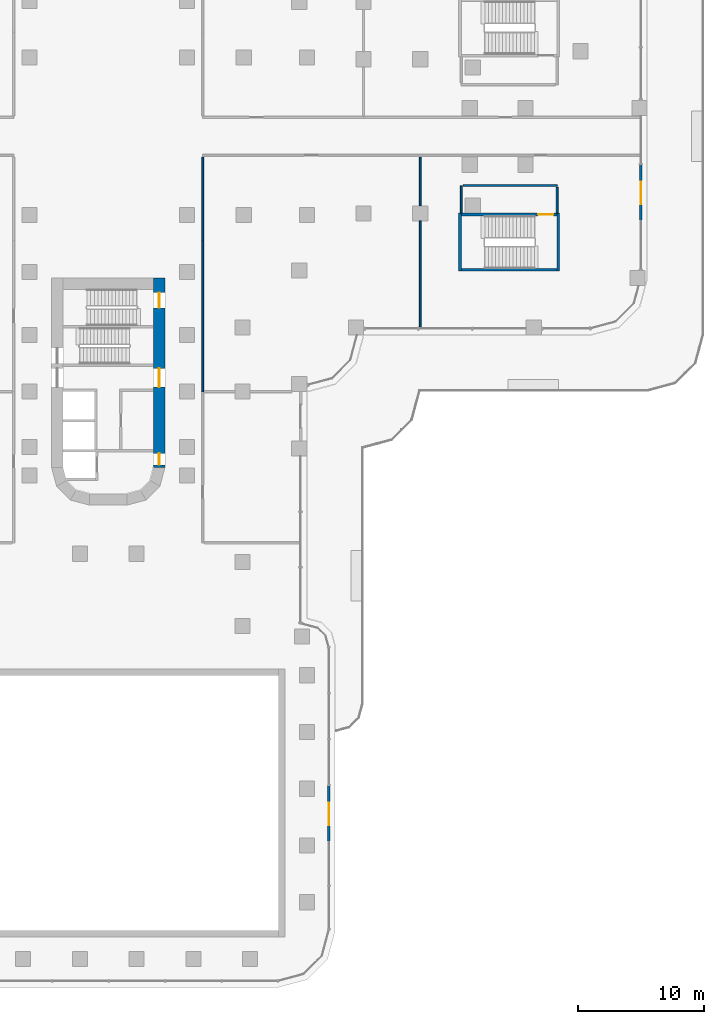
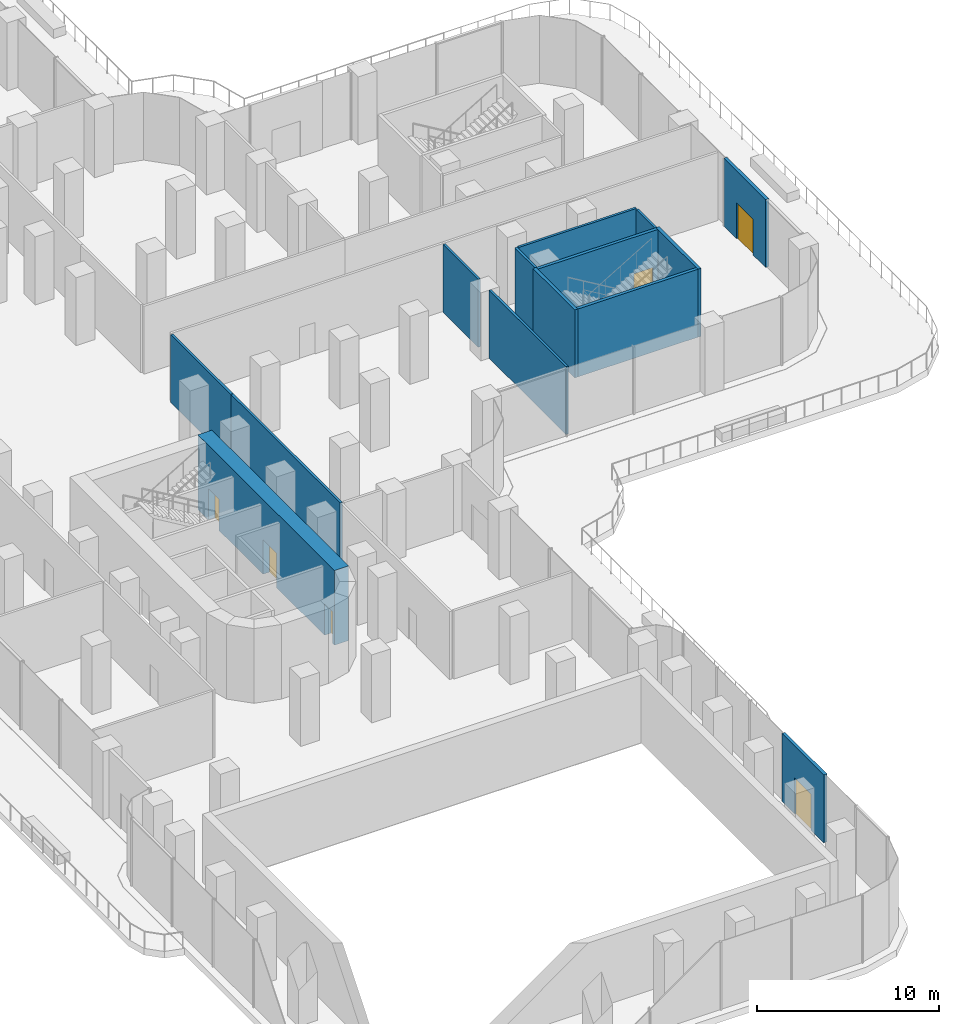
# One storey, part 17 of 27: 14 walls, 6 doors, 6 openings.
"""IFC4 building model written with IfcOpenShell, lengths in metres."""

from ifc_helpers import new_model, si_unit, direction, frame, frame_2d, origin, place, context, subcontext, project, spatial, rectangle, extrude, material, layer, layer_set, type_object, element, fill, save


model = new_model("IFC4")

# Units and contexts
model_context = context("Model", 3, precision=1e-05, world=origin(), true_north=direction((0.0, 1.0)))
body_context = subcontext(model_context, "Body", "Model", "MODEL_VIEW")
ifc_project = project(units=[si_unit("LENGTHUNIT", "METRE"), si_unit("AREAUNIT", "SQUARE_METRE"), si_unit("VOLUMEUNIT", "CUBIC_METRE"), si_unit("PLANEANGLEUNIT", "RADIAN"), si_unit("MASSUNIT", "GRAM", prefix="KILO")], contexts=[model_context])

# Site, building, storey
site_placement = place(None, origin())
site = spatial("IfcSite", under=ifc_project, at=site_placement, CompositionType="ELEMENT")
building_placement = place(site_placement, origin())
building = spatial("IfcBuilding", under=site, at=building_placement, Name="Zarbagh Exchange Tower", CompositionType="ELEMENT")
storey_placement = place(building_placement, frame((0.0, 0.0, 17.0)))
storey = spatial("IfcBuildingStorey", under=building, at=storey_placement, Name="L03", CompositionType="ELEMENT", Elevation=17.0)

# Walls
ifc_material_1 = material(Name="Plasterboard partition")
ifc_layer_1 = layer(ifc_material_1, 0.14990234375)
ifc_layer_set_1 = layer_set([ifc_layer_1], Name="Board partition 150")
wall_type_1 = type_object("IfcWallType", Name="Board partition 150", PredefinedType="PARTITIONING", material=ifc_layer_set_1)
wall_1_placement = place(storey_placement, frame((28.0, -6.10009765625, 0.0), z_axis=(0.0, 0.0, 1.0), x_axis=(0.0, 1.0, 0.0)))
element("IfcWall", 1, at=wall_1_placement, inside=storey, type_object=wall_type_1, Name="WL-L03-W012", PredefinedType="PARTITIONING", context=body_context, shape_type="SweptSolid", body=[
    extrude(rectangle(XDim=2.2001953125, YDim=0.14990234375, at=frame_2d((1.10009765625, 0.0))), origin(), (0.0, 0.0, 1.0), 4.550048828125),
])
wall_2_placement = place(storey_placement, frame((28.14990234375, -3.89990234375, 0.0), z_axis=(0.0, 0.0, 1.0), x_axis=(1.0, 0.0, 0.0)))
element("IfcWall", 2, at=wall_2_placement, inside=storey, type_object=wall_type_1, Name="WL-L03-W013", PredefinedType="PARTITIONING", context=body_context, shape_type="SweptSolid", body=[
    extrude(rectangle(XDim=7.4501953125, YDim=0.14990234375, at=frame_2d((3.72509765625, 0.0))), origin(), (0.0, 0.0, 1.0), 4.550048828125),
])
wall_3_placement = place(storey_placement, frame((35.60009765625, -4.050048828125, 0.0), z_axis=(0.0, 0.0, 1.0), x_axis=(0.0, -1.0, 0.0)))
element("IfcWall", 3, at=wall_3_placement, inside=storey, type_object=wall_type_1, Name="WL-L03-W014", PredefinedType="PARTITIONING", context=body_context, shape_type="SweptSolid", body=[
    extrude(rectangle(XDim=2.050048828125, YDim=0.14990234375, at=frame_2d((1.02490234375, 0.0))), origin(), (0.0, 0.0, 1.0), 4.550048828125),
])
wall_4_placement = place(storey_placement, frame((7.5, -8.25, 0.0), z_axis=(0.0, 0.0, 1.0), x_axis=(0.0, -1.0, 0.0)))
element("IfcWall", 4, at=wall_4_placement, inside=storey, type_object=wall_type_1, Name="WL-L03-W029", PredefinedType="PARTITIONING", context=body_context, shape_type="SweptSolid", body=[
    extrude(rectangle(XDim=12.0, YDim=0.14990234375, at=frame_2d((6.0, 0.0))), origin(), (0.0, 0.0, 1.0), 4.550048828125),
])
wall_5_placement = place(storey_placement, frame((24.75, -1.64990234375, 0.0), z_axis=(0.0, 0.0, 1.0), x_axis=(0.0, -1.0, 0.0)))
element("IfcWall", 5, at=wall_5_placement, inside=storey, type_object=wall_type_1, Name="WL-L03-W056", PredefinedType="PARTITIONING", context=body_context, shape_type="SweptSolid", body=[
    extrude(rectangle(XDim=3.860107421875, YDim=0.14990234375, at=frame_2d((1.93017578125, 0.0))), origin(), (0.0, 0.0, 1.0), 4.550048828125),
])
wall_6_placement = place(storey_placement, frame((24.75, -6.7099609375, 0.0), z_axis=(0.0, 0.0, 1.0), x_axis=(0.0, -1.0, 0.0)))
element("IfcWall", 6, at=wall_6_placement, inside=storey, type_object=wall_type_1, Name="WL-L03-W057", PredefinedType="PARTITIONING", context=body_context, shape_type="SweptSolid", body=[
    extrude(rectangle(XDim=8.43994140625, YDim=0.14990234375, at=frame_2d((4.219970703125, 0.0))), origin(), (0.0, 0.0, 1.0), 4.550048828125),
])
wall_7_placement = place(storey_placement, frame((7.5, -8.25, 0.0), z_axis=(0.0, 0.0, 1.0), x_axis=(0.0, 1.0, 0.0)))
element("IfcWall", 7, at=wall_7_placement, inside=storey, type_object=wall_type_1, Name="WL-L03-W060", PredefinedType="PARTITIONING", context=body_context, shape_type="SweptSolid", body=[
    extrude(rectangle(XDim=6.60009765625, YDim=0.14990234375, at=frame_2d((3.300048828125, 0.0))), origin(), (0.0, 0.0, 1.0), 4.550048828125),
])

# Wall, openings, doors
ifc_material_2 = material(Name="Concrete C60/75", Category="concrete")
ifc_layer_2 = layer(ifc_material_2, 0.89990234375)
ifc_layer_set_2 = layer_set([ifc_layer_2], Name="RC core wall 900 C60/75")
wall_type_2 = type_object("IfcWallType", Name="RC core wall 900 C60/75", PredefinedType="SHEAR", material=ifc_layer_set_2)
wall_8_placement = place(storey_placement, frame((4.050048828125, -11.25, 0.0), z_axis=(0.0, 0.0, 1.0), x_axis=(0.0, -1.0, 0.0)))
wall_8 = element("IfcWall", 8, at=wall_8_placement, inside=storey, type_object=wall_type_2, Name="CW1 core S E", PredefinedType="SHEAR", context=body_context, shape_type="SweptSolid", body=[
    extrude(rectangle(XDim=15.0, YDim=0.89990234375, at=frame_2d((7.5, 0.0))), origin(), (0.0, 0.0, 1.0), 5.0),
])
opening_1_placement = place(wall_8_placement, frame((7.14990234375, 0.0, 0.0)))
opening_1 = element("IfcOpeningElement", 9, at=opening_1_placement, cuts=wall_8, Name="Opening CD1-1500", PredefinedType="OPENING", context=body_context, shape_type="SweptSolid", body=[
    extrude(rectangle(XDim=1.5, YDim=2.300048828125, at=frame_2d((0.75, 1.14990234375))), frame((0.0, 0.4599609375, 0.0), z_axis=(0.0, -1.0, 0.0), x_axis=(1.0, 0.0, 0.0)), (0.0, 0.0, 1.0), 0.919921875),
])
opening_2_placement = place(wall_8_placement, frame((13.89990234375, 0.0, 0.0)))
opening_2 = element("IfcOpeningElement", 10, at=opening_2_placement, cuts=wall_8, Name="Opening CD2-900", PredefinedType="OPENING", context=body_context, shape_type="SweptSolid", body=[
    extrude(rectangle(XDim=0.89990234375, YDim=2.10009765625, at=frame_2d((0.449951171875, 1.050048828125))), frame((0.0, 0.4599609375, 0.0), z_axis=(0.0, -1.0, 0.0), x_axis=(1.0, 0.0, 0.0)), (0.0, 0.0, 1.0), 0.919921875),
])
opening_3_placement = place(wall_8_placement, frame((1.14990234375, 0.0, 0.0)))
opening_3 = element("IfcOpeningElement", 11, at=opening_3_placement, cuts=wall_8, Name="Opening SD1-1200", PredefinedType="OPENING", context=body_context, shape_type="SweptSolid", body=[
    extrude(rectangle(XDim=1.199951171875, YDim=2.10009765625, at=frame_2d((0.60009765625, 1.050048828125))), frame((0.0, 0.4599609375, 0.0), z_axis=(0.0, -1.0, 0.0), x_axis=(1.0, 0.0, 0.0)), (0.0, 0.0, 1.0), 0.919921875),
])
ifc_material_3 = material(Name="Steel", Category="steel")
door_type_1 = type_object("IfcDoorType", Name="Exit stair door 1200 x 2100", OperationType="NOTDEFINED", PredefinedType="DOOR", material=ifc_material_3)
door_1_placement = place(opening_3_placement, origin())
door_1 = element("IfcDoor", 12, at=door_1_placement, inside=storey, type_object=door_type_1, Name="South core stair door ST2", OperationType="SINGLE_SWING_LEFT", OverallHeight=2.10009765625, OverallWidth=1.199951171875, PredefinedType="DOOR", context=body_context, shape_type="SweptSolid", body=[
    extrude(rectangle(XDim=1.199951171875, YDim=2.10009765625, at=frame_2d((0.60009765625, 1.050048828125))), frame((0.0, 0.02490234375, 0.0), z_axis=(0.0, -1.0, 0.0), x_axis=(1.0, 0.0, 0.0)), (0.0, 0.0, 1.0), 0.050048828125),
])
fill(opening_3, door_1)
door_type_2 = type_object("IfcDoorType", Name="Firefighting lobby door 900 x 2100", OperationType="NOTDEFINED", PredefinedType="DOOR", material=ifc_material_3)
door_2_placement = place(opening_2_placement, origin())
door_2 = element("IfcDoor", 13, at=door_2_placement, inside=storey, type_object=door_type_2, Name="South core firefighting lobby door FF-W", OperationType="SINGLE_SWING_LEFT", OverallHeight=2.10009765625, OverallWidth=0.89990234375, PredefinedType="DOOR", context=body_context, shape_type="SweptSolid", body=[
    extrude(rectangle(XDim=0.89990234375, YDim=2.10009765625, at=frame_2d((0.449951171875, 1.050048828125))), frame((0.0, 0.02490234375, 0.0), z_axis=(0.0, -1.0, 0.0), x_axis=(1.0, 0.0, 0.0)), (0.0, 0.0, 1.0), 0.050048828125),
])
fill(opening_2, door_2)
door_type_3 = type_object("IfcDoorType", Name="Lift lobby double door 1500 x 2300", OperationType="NOTDEFINED", PredefinedType="DOOR", material=ifc_material_3)
door_3_placement = place(opening_1_placement, origin())
door_3 = element("IfcDoor", 14, at=door_3_placement, inside=storey, type_object=door_type_3, Name="South core lift lobby door LOBBY-W", OperationType="DOUBLE_DOOR_SINGLE_SWING", OverallHeight=2.300048828125, OverallWidth=1.5, PredefinedType="DOOR", context=body_context, shape_type="SweptSolid", body=[
    extrude(rectangle(XDim=1.5, YDim=2.300048828125, at=frame_2d((0.75, 1.14990234375))), frame((0.0, 0.02490234375, 0.0), z_axis=(0.0, -1.0, 0.0), x_axis=(1.0, 0.0, 0.0)), (0.0, 0.0, 1.0), 0.050048828125),
])
fill(opening_1, door_3)

# Walls
ifc_material_4 = material(Name="Concrete C40/50", Category="concrete")
ifc_layer_3 = layer(ifc_material_4, 0.199951171875)
ifc_layer_set_3 = layer_set([ifc_layer_3], Name="Stair enclosure wall 200 mm RC C40/50")
wall_type_3 = type_object("IfcWallType", Name="Stair enclosure wall 200 mm RC C40/50", PredefinedType="SHEAR", material=ifc_layer_set_3)
for number, where, z_axis, x_axis, name in (
    (15, (27.89990234375, -10.699951171875, 0.0), (0.0, 0.0, 1.0), (0.0, 1.0, 0.0), "Exit stair PS6 enclosure wall W"),
    (16, (35.699951171875, -10.699951171875, 0.0), (0.0, 0.0, 1.0), (0.0, 1.0, 0.0), "Exit stair PS6 enclosure wall E"),
):
    element("IfcWall", number, at=place(storey_placement, frame(where, z_axis=z_axis, x_axis=x_axis)), inside=storey, type_object=wall_type_3, Name=name, PredefinedType="SHEAR", context=body_context, shape_type="SweptSolid", body=[
        extrude(rectangle(XDim=4.599853515625, YDim=0.199951171875, at=frame_2d((2.2998046875, 0.0))), origin(), (0.0, 0.0, 1.0), 4.550048828125),
    ])
wall_9_placement = place(storey_placement, frame((28.0, -10.60009765625, 0.0), z_axis=(0.0, 0.0, 1.0), x_axis=(1.0, 0.0, 0.0)))
element("IfcWall", 17, at=wall_9_placement, inside=storey, type_object=wall_type_3, Name="Exit stair PS6 enclosure wall S", PredefinedType="SHEAR", context=body_context, shape_type="SweptSolid", body=[
    extrude(rectangle(XDim=7.60009765625, YDim=0.199951171875, at=frame_2d((3.800048828125, 0.0))), origin(), (0.0, 0.0, 1.0), 4.550048828125),
])

# Wall, opening, door
wall_10_placement = place(storey_placement, frame((28.0, -6.199951171875, 0.0), z_axis=(0.0, 0.0, 1.0), x_axis=(1.0, 0.0, 0.0)))
wall_10 = element("IfcWall", 18, at=wall_10_placement, inside=storey, type_object=wall_type_3, Name="Exit stair PS6 enclosure wall N", PredefinedType="SHEAR", context=body_context, shape_type="SweptSolid", body=[
    extrude(rectangle(XDim=7.60009765625, YDim=0.199951171875, at=frame_2d((3.800048828125, 0.0))), origin(), (0.0, 0.0, 1.0), 4.550048828125),
])
opening_4_placement = place(wall_10_placement, frame((6.10009765625, 0.0, 0.0)))
opening_4 = element("IfcOpeningElement", 19, at=opening_4_placement, cuts=wall_10, Name="Opening SD1-1200", PredefinedType="OPENING", context=body_context, shape_type="SweptSolid", body=[
    extrude(rectangle(XDim=1.199951171875, YDim=2.10009765625, at=frame_2d((0.60009765625, 1.050048828125))), frame((0.0, 0.10986328125, 0.0), z_axis=(0.0, -1.0, 0.0), x_axis=(1.0, 0.0, 0.0)), (0.0, 0.0, 1.0), 0.219970703125),
])
door_4_placement = place(opening_4_placement, origin())
door_4 = element("IfcDoor", 20, at=door_4_placement, inside=storey, type_object=door_type_1, Name="Exit stair PS6 entry door", OperationType="SINGLE_SWING_RIGHT", OverallHeight=2.10009765625, OverallWidth=1.199951171875, PredefinedType="DOOR", context=body_context, shape_type="SweptSolid", body=[
    extrude(rectangle(XDim=1.199951171875, YDim=2.10009765625, at=frame_2d((0.60009765625, 1.050048828125))), frame((0.0, 0.02490234375, 0.0), z_axis=(0.0, -1.0, 0.0), x_axis=(1.0, 0.0, 0.0)), (0.0, 0.0, 1.0), 0.050048828125),
])
fill(opening_4, door_4)

ifc_material_5 = material(Name="Precast concrete C50/60", Category="concrete")
ifc_layer_4 = layer(ifc_material_5, 0.199951171875)
ifc_layer_set_4 = layer_set([ifc_layer_4], Name="Terrace door wall, precast concrete C50/60")
wall_type_4 = type_object("IfcWallType", Name="Terrace door wall, precast concrete C50/60", PredefinedType="SOLIDWALL", material=ifc_layer_set_4)
wall_11_placement = place(storey_placement, frame((17.5, -56.0400390625, 0.0), z_axis=(0.0, 0.0, 1.0), x_axis=(0.0, 1.0, 0.0)))
wall_11 = element("IfcWall", 21, at=wall_11_placement, inside=storey, type_object=wall_type_4, Name="TW18 door wall", PredefinedType="SOLIDWALL", context=body_context, shape_type="SweptSolid", body=[
    extrude(rectangle(XDim=4.580078125, YDim=0.199951171875, at=frame_2d((2.2900390625, 0.0))), origin(), (0.0, 0.0, 1.0), 4.550048828125),
])
opening_5_placement = place(wall_11_placement, frame((1.389892578125, 0.0, 0.0)))
opening_5 = element("IfcOpeningElement", 22, at=opening_5_placement, cuts=wall_11, Name="Opening TD03", PredefinedType="OPENING", context=body_context, shape_type="SweptSolid", body=[
    extrude(rectangle(XDim=1.800048828125, YDim=2.39990234375, at=frame_2d((0.89990234375, 1.199951171875))), frame((0.0, 0.10986328125, 0.0), z_axis=(0.0, -1.0, 0.0), x_axis=(1.0, 0.0, 0.0)), (0.0, 0.0, 1.0), 0.219970703125),
])
ifc_material_6 = material(Name="Anodised aluminium and glass", Category="aluminium")
door_type_4 = type_object("IfcDoorType", Name="Terrace door, double leaf, aluminium and glass", OperationType="DOUBLE_DOOR_DOUBLE_SWING", PredefinedType="DOOR", material=ifc_material_6)
door_5_placement = place(opening_5_placement, origin())
door_5 = element("IfcDoor", 23, at=door_5_placement, inside=storey, type_object=door_type_4, Name="TD03 terrace door", OperationType="SINGLE_SWING_LEFT", OverallHeight=2.39990234375, OverallWidth=1.800048828125, PredefinedType="DOOR", context=body_context, shape_type="SweptSolid", body=[
    extrude(rectangle(XDim=1.800048828125, YDim=2.39990234375, at=frame_2d((0.89990234375, 1.199951171875))), frame((0.0, 0.02490234375, 0.0), z_axis=(0.0, -1.0, 0.0), x_axis=(1.0, 0.0, 0.0)), (0.0, 0.0, 1.0), 0.050048828125),
])
fill(opening_5, door_5)

wall_12_placement = place(storey_placement, frame((42.25, -6.7900390625, 0.0), z_axis=(0.0, 0.0, 1.0), x_axis=(0.0, 1.0, 0.0)))
wall_12 = element("IfcWall", 24, at=wall_12_placement, inside=storey, type_object=wall_type_4, Name="TW20 door wall", PredefinedType="SOLIDWALL", context=body_context, shape_type="SweptSolid", body=[
    extrude(rectangle(XDim=4.580078125, YDim=0.199951171875, at=frame_2d((2.2900390625, 0.0))), origin(), (0.0, 0.0, 1.0), 4.550048828125),
])
opening_6_placement = place(wall_12_placement, frame((1.389892578125, 0.0, 0.0)))
opening_6 = element("IfcOpeningElement", 25, at=opening_6_placement, cuts=wall_12, Name="Opening TD03", PredefinedType="OPENING", context=body_context, shape_type="SweptSolid", body=[
    extrude(rectangle(XDim=1.800048828125, YDim=2.39990234375, at=frame_2d((0.89990234375, 1.199951171875))), frame((0.0, 0.10986328125, 0.0), z_axis=(0.0, -1.0, 0.0), x_axis=(1.0, 0.0, 0.0)), (0.0, 0.0, 1.0), 0.219970703125),
])
door_6_placement = place(opening_6_placement, origin())
door_6 = element("IfcDoor", 26, at=door_6_placement, inside=storey, type_object=door_type_4, Name="TD03 terrace door", OperationType="SINGLE_SWING_LEFT", OverallHeight=2.39990234375, OverallWidth=1.800048828125, PredefinedType="DOOR", context=body_context, shape_type="SweptSolid", body=[
    extrude(rectangle(XDim=1.800048828125, YDim=2.39990234375, at=frame_2d((0.89990234375, 1.199951171875))), frame((0.0, 0.02490234375, 0.0), z_axis=(0.0, -1.0, 0.0), x_axis=(1.0, 0.0, 0.0)), (0.0, 0.0, 1.0), 0.050048828125),
])
fill(opening_6, door_6)

save(model, "model.ifc")
